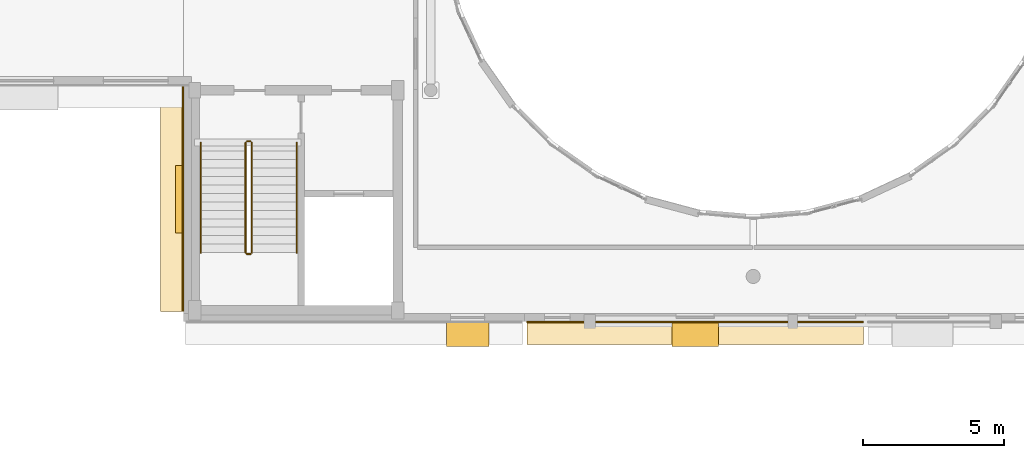
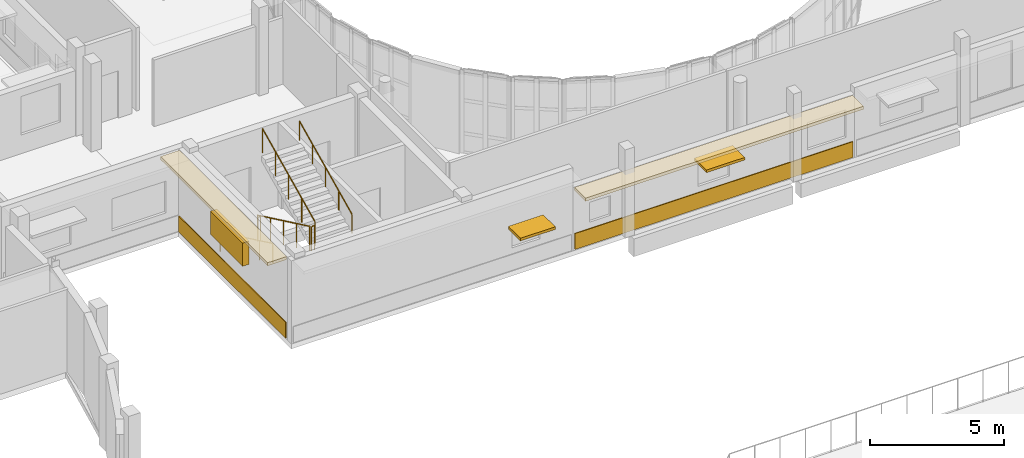
# One storey, part 79 of 92: 6 railings, 4 coverings, 3 shading devices.
"""IFC4 building model written with IfcOpenShell, lengths in metres."""

from ifc_helpers import new_model, si_unit, direction, frame, origin, origin_2d, place, context, subcontext, project, spatial, rectangle, circle, extrude, material, layer, layer_set, type_object, element, save


model = new_model("IFC4")

# Units and contexts
model_context = context("Model", 3, precision=1e-05, world=origin(), true_north=direction((0.0, 1.0)))
body_context = subcontext(model_context, "Body", "Model", "MODEL_VIEW")
ifc_project = project(units=[si_unit("LENGTHUNIT", "METRE"), si_unit("AREAUNIT", "SQUARE_METRE"), si_unit("VOLUMEUNIT", "CUBIC_METRE"), si_unit("PLANEANGLEUNIT", "RADIAN"), si_unit("MASSUNIT", "GRAM", prefix="KILO")], contexts=[model_context])

# Site, building, storey
site_placement = place(None, origin())
site = spatial("IfcSite", under=ifc_project, at=site_placement, CompositionType="ELEMENT")
building_placement = place(site_placement, origin())
building = spatial("IfcBuilding", under=site, at=building_placement, Name="Kelanivale Promenade Academy", CompositionType="ELEMENT")
storey_placement = place(building_placement, frame((0.0, 0.0, 8.199951171875)))
storey = spatial("IfcBuildingStorey", under=building, at=storey_placement, Name="L02", CompositionType="ELEMENT", Elevation=8.199951171875)

# Coverings
ifc_material_1 = material(Name="Warm ivory Art Deco stucco frieze band 40 mm", Category="masonry")
ifc_layer_1 = layer(ifc_material_1, 0.0400390625)
ifc_layer_set_1 = layer_set([ifc_layer_1], Name="Warm ivory Art Deco stucco frieze band 40 mm")
covering_type = type_object("IfcCoveringType", Name="COV-CLD2 Warm ivory Art Deco stucco frieze ba", PredefinedType="CLADDING", material=ifc_layer_set_1)
covering_1_placement = place(storey_placement, frame((42.800048828125, 46.340087890625, 3.6201171875), z_axis=(0.0, 0.0, 1.0), x_axis=(0.0, -1.0, 0.0)))
element("IfcCovering", 1, at=covering_1_placement, inside=storey, type_object=covering_type, Name="Art Deco projecting 820 mm streamline sunshade eyebrow ledge", PredefinedType="CLADDING", context=body_context, shape_type="SweptSolid", body=[
    extrude(rectangle(XDim=7.9599609375, YDim=0.820068359375, at=origin_2d()), origin(), (0.0, 0.0, 1.0), 0.139892578125),
])
covering_2_placement = place(storey_placement, frame((43.18505859375, 46.340087890625, 0.06005859375), z_axis=(0.0, 0.0, 1.0), x_axis=(0.0, -1.0, 0.0)))
element("IfcCovering", 2, at=covering_2_placement, inside=storey, type_object=covering_type, Name="Art Deco ivory stucco sill frieze band", PredefinedType="CLADDING", context=body_context, shape_type="SweptSolid", body=[
    extrude(rectangle(XDim=7.9599609375, YDim=0.0400390625, at=origin_2d()), origin(), (0.0, 0.0, 1.0), 0.719970703125),
])
covering_3_placement = place(storey_placement, frame((61.340087890625, 41.60009765625, 2.71533203125), z_axis=(0.0, 0.0, 1.0), x_axis=(1.0, 0.0, 0.0)))
element("IfcCovering", 3, at=covering_3_placement, inside=storey, type_object=covering_type, Name="Art Deco projecting 820 mm streamline sunshade eyebrow ledge", PredefinedType="CLADDING", context=body_context, shape_type="SweptSolid", body=[
    extrude(rectangle(XDim=11.93408203125, YDim=0.820068359375, at=origin_2d()), origin(), (0.0, 0.0, 1.0), 0.139892578125),
])
covering_4_placement = place(storey_placement, frame((61.340087890625, 41.985107421875, 0.06005859375), z_axis=(0.0, 0.0, 1.0), x_axis=(1.0, 0.0, 0.0)))
element("IfcCovering", 4, at=covering_4_placement, inside=storey, type_object=covering_type, Name="Art Deco ivory stucco sill frieze band", PredefinedType="CLADDING", context=body_context, shape_type="SweptSolid", body=[
    extrude(rectangle(XDim=11.93408203125, YDim=0.0400390625, at=origin_2d()), origin(), (0.0, 0.0, 1.0), 0.719970703125),
])

# Railings
ifc_material_2 = material(Name="Brushed stainless steel grade 316", Category="steel")
railing_type_1 = type_object("IfcRailingType", Name="GR-01 Stair Guard 1100mm", PredefinedType="BALUSTRADE", material=ifc_material_2)
railing_1_placement = place(storey_placement, frame((45.405029296875, 48.344970703125, 0.142822265625)))
element("IfcRailing", 5, at=railing_1_placement, inside=storey, type_object=railing_type_1, Name="L02 ST-06 stair guard 1", PredefinedType="BALUSTRADE", context=body_context, shape_type="SweptSolid", body=[
    extrude(circle(Radius=0.02392578125, at=origin_2d()), frame((0.0, 0.0, 1.09619140625), z_axis=(0.0, -0.902853205547, 0.429948937937), x_axis=(1.0, 0.0, 0.0)), (0.0, 0.0, 1.0), 4.319580078125),
    extrude(circle(Radius=0.02099609375, at=origin_2d()), origin(), (0.0, 0.0, 1.0), 1.072021484375),
    extrude(circle(Radius=0.02099609375, at=origin_2d()), frame((0.0, -0.97509765625, 0.46435546875)), (0.0, 0.0, 1.0), 1.072021484375),
    extrude(circle(Radius=0.02099609375, at=origin_2d()), frame((0.0, -1.949951171875, 0.9287109375)), (0.0, 0.0, 1.0), 1.072021484375),
    extrude(circle(Radius=0.02099609375, at=origin_2d()), frame((0.0, -2.9248046875, 1.392822265625)), (0.0, 0.0, 1.0), 1.072021484375),
    extrude(circle(Radius=0.02099609375, at=origin_2d()), frame((0.0, -3.89990234375, 1.857177734375)), (0.0, 0.0, 1.0), 1.072021484375),
])
railing_2_placement = place(storey_placement, frame((45.455078125, 44.39501953125, 2.0)))
element("IfcRailing", 6, at=railing_2_placement, inside=storey, type_object=railing_type_1, Name="L02 ST-06 stair guard 2", PredefinedType="BALUSTRADE", context=body_context, shape_type="SweptSolid", body=[
    extrude(circle(Radius=0.02392578125, at=origin_2d()), frame((0.0, 0.0, 1.09619140625), z_axis=(1.0, 0.0, 0.0), x_axis=(0.0, 1.0, 0.0)), (0.0, 0.0, 1.0), 0.119873046875),
    extrude(circle(Radius=0.02099609375, at=origin_2d()), origin(), (0.0, 0.0, 1.0), 1.072021484375),
    extrude(circle(Radius=0.02099609375, at=origin_2d()), frame((0.119873046875, 0.0, 0.0)), (0.0, 0.0, 1.0), 1.072021484375),
])
railing_3_placement = place(storey_placement, frame((45.625, 44.445068359375, 2.142822265625)))
element("IfcRailing", 7, at=railing_3_placement, inside=storey, type_object=railing_type_1, Name="L02 ST-06 stair guard 3", PredefinedType="BALUSTRADE", context=body_context, shape_type="SweptSolid", body=[
    extrude(circle(Radius=0.02392578125, at=origin_2d()), frame((0.0, 0.0, 1.09619140625), z_axis=(0.0, 0.902853205547, 0.429948937937), x_axis=(-1.0, 0.0, 0.0)), (0.0, 0.0, 1.0), 4.319580078125),
    extrude(circle(Radius=0.02099609375, at=origin_2d()), origin(), (0.0, 0.0, 1.0), 1.072021484375),
    extrude(circle(Radius=0.02099609375, at=origin_2d()), frame((0.0, 0.97509765625, 0.46435546875)), (0.0, 0.0, 1.0), 1.072021484375),
    extrude(circle(Radius=0.02099609375, at=origin_2d()), frame((0.0, 1.949951171875, 0.9287109375)), (0.0, 0.0, 1.0), 1.072021484375),
    extrude(circle(Radius=0.02099609375, at=origin_2d()), frame((0.0, 2.9248046875, 1.392822265625)), (0.0, 0.0, 1.0), 1.072021484375),
    extrude(circle(Radius=0.02099609375, at=origin_2d()), frame((0.0, 3.89990234375, 1.857177734375)), (0.0, 0.0, 1.0), 1.072021484375),
])
railing_4_placement = place(storey_placement, frame((45.455078125, 48.39501953125, 0.0)))
element("IfcRailing", 8, at=railing_4_placement, inside=storey, type_object=railing_type_1, Name="L02 ST-06 stair guard 4", PredefinedType="BALUSTRADE", context=body_context, shape_type="SweptSolid", body=[
    extrude(circle(Radius=0.02392578125, at=origin_2d()), frame((0.0, 0.0, 1.09619140625), z_axis=(1.0, 0.0, 0.0), x_axis=(0.0, 1.0, 0.0)), (0.0, 0.0, 1.0), 0.119873046875),
    extrude(circle(Radius=0.02099609375, at=origin_2d()), origin(), (0.0, 0.0, 1.0), 1.072021484375),
    extrude(circle(Radius=0.02099609375, at=origin_2d()), frame((0.119873046875, 0.0, 0.0)), (0.0, 0.0, 1.0), 1.072021484375),
])
railing_type_2 = type_object("IfcRailingType", Name="HR-01 Pitch Handrail 900mm", PredefinedType="HANDRAIL", material=ifc_material_2)
railing_5_placement = place(storey_placement, frame((43.81494140625, 48.344970703125, 0.142822265625)))
element("IfcRailing", 9, at=railing_5_placement, inside=storey, type_object=railing_type_2, Name="L02 ST-06 stair handrail 1", PredefinedType="HANDRAIL", context=body_context, shape_type="SweptSolid", body=[
    extrude(circle(Radius=0.02392578125, at=origin_2d()), frame((0.0, 0.0, 0.8759765625), z_axis=(0.0, -0.902853205547, 0.429948937937), x_axis=(1.0, 0.0, 0.0)), (0.0, 0.0, 1.0), 4.319580078125),
    extrude(circle(Radius=0.02099609375, at=origin_2d()), origin(), (0.0, 0.0, 1.0), 0.851806640625),
    extrude(circle(Radius=0.02099609375, at=origin_2d()), frame((0.0, -0.97509765625, 0.46435546875)), (0.0, 0.0, 1.0), 0.851806640625),
    extrude(circle(Radius=0.02099609375, at=origin_2d()), frame((0.0, -1.949951171875, 0.9287109375)), (0.0, 0.0, 1.0), 0.851806640625),
    extrude(circle(Radius=0.02099609375, at=origin_2d()), frame((0.0, -2.9248046875, 1.392822265625)), (0.0, 0.0, 1.0), 0.851806640625),
    extrude(circle(Radius=0.02099609375, at=origin_2d()), frame((0.0, -3.89990234375, 1.857177734375)), (0.0, 0.0, 1.0), 0.851806640625),
])
railing_6_placement = place(storey_placement, frame((47.215087890625, 44.445068359375, 2.142822265625)))
element("IfcRailing", 10, at=railing_6_placement, inside=storey, type_object=railing_type_2, Name="L02 ST-06 stair handrail 2", PredefinedType="HANDRAIL", context=body_context, shape_type="SweptSolid", body=[
    extrude(circle(Radius=0.02392578125, at=origin_2d()), frame((0.0, 0.0, 0.8759765625), z_axis=(0.0, 0.902853205547, 0.429948937937), x_axis=(-1.0, 0.0, 0.0)), (0.0, 0.0, 1.0), 4.319580078125),
    extrude(circle(Radius=0.02099609375, at=origin_2d()), origin(), (0.0, 0.0, 1.0), 0.851806640625),
    extrude(circle(Radius=0.02099609375, at=origin_2d()), frame((0.0, 0.97509765625, 0.46435546875)), (0.0, 0.0, 1.0), 0.851806640625),
    extrude(circle(Radius=0.02099609375, at=origin_2d()), frame((0.0, 1.949951171875, 0.9287109375)), (0.0, 0.0, 1.0), 0.851806640625),
    extrude(circle(Radius=0.02099609375, at=origin_2d()), frame((0.0, 2.9248046875, 1.392822265625)), (0.0, 0.0, 1.0), 0.851806640625),
    extrude(circle(Radius=0.02099609375, at=origin_2d()), frame((0.0, 3.89990234375, 1.857177734375)), (0.0, 0.0, 1.0), 0.851806640625),
])

# Shading devices
ifc_material_3 = material(Name="Precast concrete C40/50", Category="concrete")
ifc_layer_2 = layer(ifc_material_3, 0.1201171875)
ifc_layer_set_2 = layer_set([ifc_layer_2], Name="Precast concrete C40/50")
shading_device_type_1 = type_object("IfcShadingDeviceType", Name="SHD-01 Art Deco Sunshade Eyebrow 900mm", PredefinedType="USERDEFINED", material=ifc_layer_set_2)
shading_device_1_placement = place(storey_placement, frame((53.277099609375, 41.56005859375, 1.9599609375), z_axis=(0.0, 0.0, 1.0), x_axis=(1.0, 0.0, 0.0)))
element("IfcShadingDevice", 11, at=shading_device_1_placement, inside=storey, type_object=shading_device_type_1, Name="Art Deco 900 mm precast chajja window sunshade", ObjectType="SUNSHADE", PredefinedType="USERDEFINED", context=body_context, shape_type="SweptSolid", body=[
    extrude(rectangle(XDim=1.5, YDim=0.89990234375, at=origin_2d()), origin(), (0.0, 0.0, 1.0), 0.1201171875),
])
shading_device_2_placement = place(storey_placement, frame((61.340087890625, 41.56005859375, 2.260009765625), z_axis=(0.0, 0.0, 1.0), x_axis=(1.0, 0.0, 0.0)))
element("IfcShadingDevice", 12, at=shading_device_2_placement, inside=storey, type_object=shading_device_type_1, Name="Art Deco 900 mm precast chajja window sunshade", ObjectType="SUNSHADE", PredefinedType="USERDEFINED", context=body_context, shape_type="SweptSolid", body=[
    extrude(rectangle(XDim=1.64990234375, YDim=0.89990234375, at=origin_2d()), origin(), (0.0, 0.0, 1.0), 0.1201171875),
])
ifc_material_4 = material(Name="Bronze anodised aluminium EN AW-6063 T6", Category="aluminium")
ifc_layer_3 = layer(ifc_material_4, 0.080078125)
ifc_layer_set_3 = layer_set([ifc_layer_3], Name="Bronze anodised aluminium EN AW-6063 T6")
shading_device_type_2 = type_object("IfcShadingDeviceType", Name="SHD-02 Perforated Brise-Soleil Screen", PredefinedType="JALOUSIE", material=ifc_layer_set_3)
shading_device_3_placement = place(storey_placement, frame((43.06494140625, 46.340087890625, 1.72509765625), z_axis=(0.0, 0.0, 1.0), x_axis=(0.0, -1.0, 0.0)))
element("IfcShadingDevice", 13, at=shading_device_3_placement, inside=storey, type_object=shading_device_type_2, Name="Perforated Art Deco brise-soleil louvre screen", PredefinedType="JALOUSIE", context=body_context, shape_type="SweptSolid", body=[
    extrude(rectangle(XDim=2.39990234375, YDim=0.280029296875, at=origin_2d()), origin(), (0.0, 0.0, 1.0), 1.050048828125),
])

save(model, "model.ifc")
